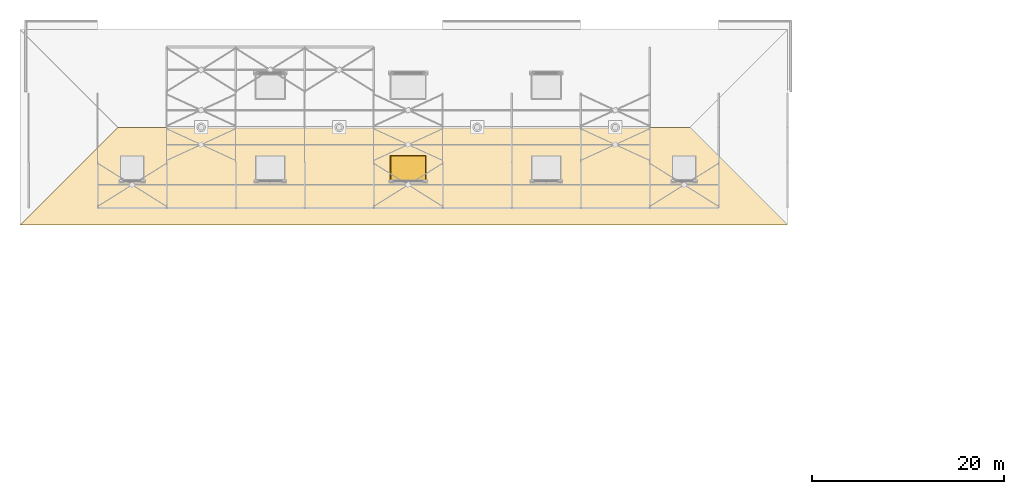
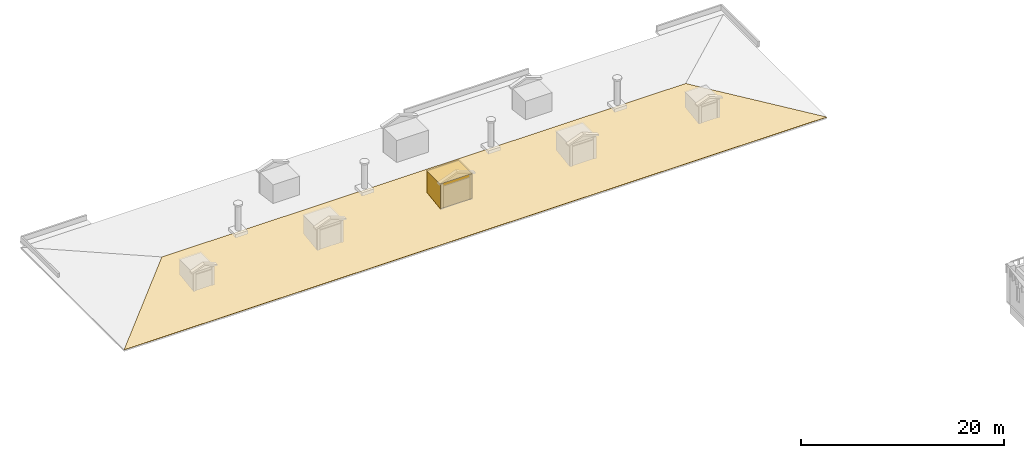
# One storey, part 19 of 24: 3 coverings.
"""IFC4 building model written with IfcOpenShell, lengths in metres."""

from ifc_helpers import new_model, si_unit, direction, frame, origin, origin_2d, place, context, subcontext, project, spatial, polyline, rectangle, outline, extrude, material, layer, layer_set, type_object, element, save


model = new_model("IFC4")

# Units and contexts
model_context = context("Model", 3, precision=1e-05, world=origin(), true_north=direction((0.0, 1.0)))
body_context = subcontext(model_context, "Body", "Model", "MODEL_VIEW")
ifc_project = project(units=[si_unit("LENGTHUNIT", "METRE"), si_unit("AREAUNIT", "SQUARE_METRE"), si_unit("VOLUMEUNIT", "CUBIC_METRE"), si_unit("PLANEANGLEUNIT", "RADIAN"), si_unit("MASSUNIT", "GRAM", prefix="KILO")], contexts=[model_context])

# Site, building, storey
site_placement = place(None, origin())
site = spatial("IfcSite", under=ifc_project, at=site_placement, CompositionType="ELEMENT")
building_placement = place(site_placement, origin())
building = spatial("IfcBuilding", under=site, at=building_placement, Name="Ussher Court Research Institute", CompositionType="ELEMENT")
storey_placement = place(building_placement, frame((0.0, 0.0, 32.39990234375)))
storey = spatial("IfcBuildingStorey", under=building, at=storey_placement, Name="L07", CompositionType="ELEMENT", Elevation=32.39990234375)

# Coverings
ifc_material_1 = material(Name="Lead sheet cladding")
covering_type_1 = type_object("IfcCoveringType", Name="Dormer body 3600x2600x3000", PredefinedType="CLADDING", material=ifc_material_1)
covering_1_placement = place(storey_placement, frame((40.800048828125, 74.0, 0.68701171875), z_axis=(1.0, 0.0, 0.0), x_axis=(0.0, 1.0, 0.0)))
element("IfcCovering", 1, at=covering_1_placement, inside=storey, type_object=covering_type_1, Name="Dormer body DM36 S3", PredefinedType="CLADDING", context=body_context, shape_type="SweptSolid", body=[
    extrude(outline(polyline([(0.0, 0.0), (2.60009765625, 0.365478515625), (2.60009765625, 3.0), (0.0, 3.0), (0.0, 0.0)])), origin(), (0.0, 0.0, 1.0), 3.599853515625),
])
ifc_material_2 = material(Name="Lead sheet cladding")
ifc_layer_1 = layer(ifc_material_2, 0.06005859375)
ifc_layer_set_1 = layer_set([ifc_layer_1], Name="Lead sheet cladding")
covering_type_2 = type_object("IfcCoveringType", Name="Dormer cap 3760x2760", PredefinedType="CLADDING", material=ifc_layer_set_1)
covering_2_placement = place(storey_placement, frame((42.60009765625, 75.300048828125, 3.68701171875), z_axis=(0.0, 0.0, 1.0), x_axis=(1.0, 0.0, 0.0)))
element("IfcCovering", 2, at=covering_2_placement, inside=storey, type_object=covering_type_2, Name="Dormer cap DC36 S3", PredefinedType="CLADDING", context=body_context, shape_type="SweptSolid", body=[
    extrude(rectangle(XDim=3.760009765625, YDim=2.760009765625, at=origin_2d()), origin(), (0.0, 0.0, 1.0), 0.06005859375),
])
ifc_material_3 = material(Name="Zinc standing seam")
ifc_layer_2 = layer(ifc_material_3, 0.0400390625)
ifc_layer_set_2 = layer_set([ifc_layer_2], Name="Zinc standing seam")
covering_type_3 = type_object("IfcCoveringType", Name="Standing seam zinc covering 40", PredefinedType="ROOFING", material=ifc_layer_set_2)
covering_3_placement = place(storey_placement, frame((2.10009765625, 69.39990234375, 0.04052734375), z_axis=(0.0, -0.13915459784, 0.990270669009), x_axis=(1.0, 0.0, 0.0)))
element("IfcCovering", 3, at=covering_3_placement, inside=storey, type_object=covering_type_3, Name="Roof covering RC1 V5", PredefinedType="ROOFING", context=body_context, shape_type="SweptSolid", body=[
    extrude(outline(polyline([(0.0, 0.0), (80.099853515625, 0.0), (69.89990234375, 10.300411424590887), (10.199951171875, 10.300411424590887), (0.0, 0.0)])), origin(), (0.0, 0.0, -1.0), 0.0400390625),
])

save(model, "model.ifc")
